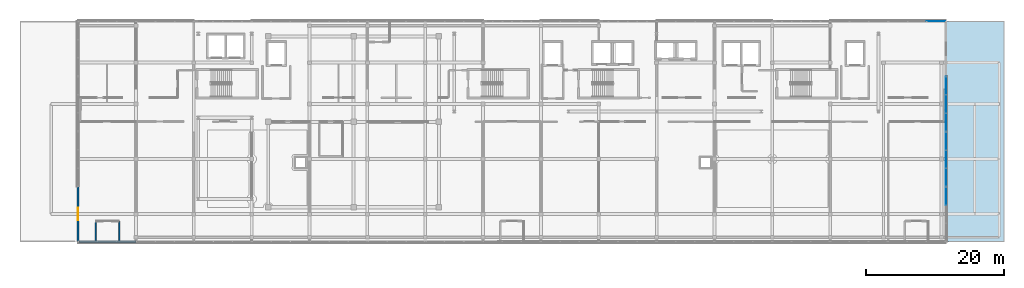
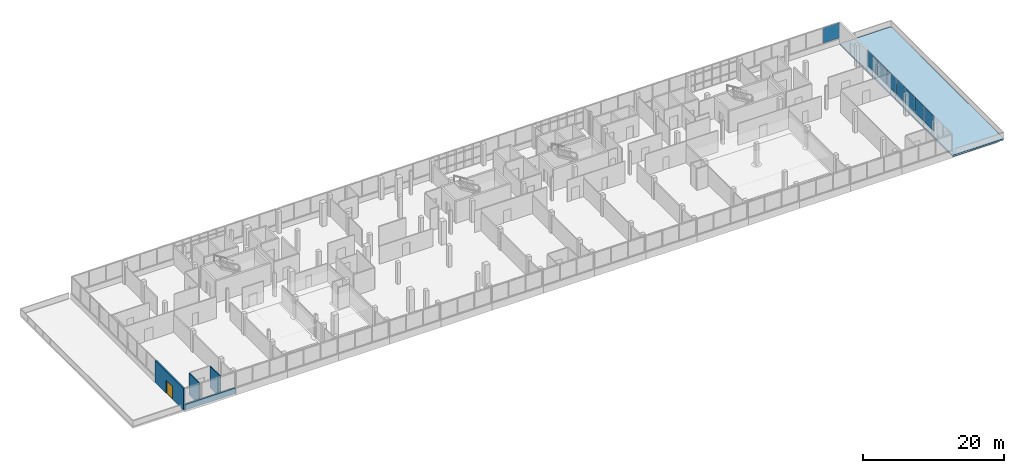
# One storey, part 55 of 67: 8 plates, 4 walls, 1 door, 1 slab, 1 opening, 4 elements without a shape of their own.
"""IFC4 building model written with IfcOpenShell, lengths in metres."""

from ifc_helpers import new_model, si_unit, direction, frame, frame_2d, origin, origin_2d, place, context, subcontext, project, spatial, polyline, rectangle, outline, extrude, material, layer, layer_set, type_object, element, fill, aggregate, save


model = new_model("IFC4")

# Units and contexts
model_context = context("Model", 3, precision=1e-05, world=origin(), true_north=direction((0.0, 1.0)))
body_context = subcontext(model_context, "Body", "Model", "MODEL_VIEW")
ifc_project = project(units=[si_unit("LENGTHUNIT", "METRE"), si_unit("AREAUNIT", "SQUARE_METRE"), si_unit("VOLUMEUNIT", "CUBIC_METRE"), si_unit("PLANEANGLEUNIT", "RADIAN"), si_unit("MASSUNIT", "GRAM", prefix="KILO")], contexts=[model_context])

# Site, building, storey
site_placement = place(None, origin())
site = spatial("IfcSite", under=ifc_project, at=site_placement, CompositionType="ELEMENT")
building_placement = place(site_placement, origin())
building = spatial("IfcBuilding", under=site, at=building_placement, Name="Selatvlak General Hospital", CompositionType="ELEMENT")
storey_placement = place(building_placement, frame((0.0, 0.0, 35.39990234375)))
storey = spatial("IfcBuildingStorey", under=building, at=storey_placement, Name="L08", CompositionType="ELEMENT", Elevation=35.39990234375)

# Curtain wall, plate
ifc_material_1 = material(Name="Solar-control Low-E double glazing", Category="glass")
curtain_wall_type_1 = type_object("IfcCurtainWallType", Name="CW-CW-02", PredefinedType="USERDEFINED", material=ifc_material_1)
curtain_wall_1_placement = place(storey_placement, origin())
curtain_wall_1 = element("IfcCurtainWall", 1, at=curtain_wall_1_placement, inside=storey, type_object=curtain_wall_type_1, Name="Glazed facade curtain wall CW-L08-0697", ObjectType="UNITISED CURTAIN WALL", PredefinedType="USERDEFINED")
ifc_layer_1 = layer(ifc_material_1, 0.028076171875, Name="Solar-control Low-E double glazing", Category="glass")
ifc_layer_set_1 = layer_set([ifc_layer_1], Name="Solar-control Low-E double glazing")
plate_type = type_object("IfcPlateType", Name="CWP-01", PredefinedType="CURTAIN_PANEL", material=ifc_layer_set_1)
plate_1_placement = place(storey_placement, frame((155.781005859375, 120.0, 1.005126953125), z_axis=(0.0, 0.0, 1.0), x_axis=(1.0, 0.0, 0.0)))
plate_1 = element("IfcPlate", 2, at=plate_1_placement, type_object=plate_type, Name="CW-02 panel 3.1", PredefinedType="CURTAIN_PANEL", context=body_context, shape_type="SweptSolid", body=[
    extrude(rectangle(XDim=2.67578125, YDim=0.028076171875, at=origin_2d()), origin(), (0.0, 0.0, 1.0), 2.669921875),
])
aggregate(curtain_wall_1, [plate_1])

# Curtain wall, plates
curtain_wall_type_2 = type_object("IfcCurtainWallType", Name="CW-CW-01", PredefinedType="USERDEFINED", material=ifc_material_1)
curtain_wall_2_placement = place(storey_placement, origin())
curtain_wall_2 = element("IfcCurtainWall", 3, at=curtain_wall_2_placement, inside=storey, type_object=curtain_wall_type_2, Name="Glazed facade curtain wall CW-L08-0698", ObjectType="UNITISED CURTAIN WALL", PredefinedType="USERDEFINED")
plate_2_placement = place(storey_placement, frame((157.19921875, 110.640625, 1.005126953125), z_axis=(0.0, 0.0, 1.0), x_axis=(0.000125486258, -0.999999992127, 0.0)))
plate_2 = element("IfcPlate", 4, at=plate_2_placement, type_object=plate_type, Name="CW-01 panel 1.1", PredefinedType="CURTAIN_PANEL", context=body_context, shape_type="SweptSolid", body=[
    extrude(rectangle(XDim=2.558837890625, YDim=0.028076171875, at=origin_2d()), origin(), (0.0, 0.0, 1.0), 2.669921875),
])
plate_3_placement = place(storey_placement, frame((157.199462890625, 108.00048828125, 1.005126953125), z_axis=(0.0, 0.0, 1.0), x_axis=(0.000125486258, -0.999999992127, 0.0)))
plate_3 = element("IfcPlate", 5, at=plate_3_placement, type_object=plate_type, Name="CW-01 panel 2.1", PredefinedType="CURTAIN_PANEL", context=body_context, shape_type="SweptSolid", body=[
    extrude(rectangle(XDim=2.59130859375, YDim=0.028076171875, at=origin_2d()), origin(), (0.0, 0.0, 1.0), 2.669921875),
])
plate_4_placement = place(storey_placement, frame((157.199951171875, 105.3603515625, 1.005126953125), z_axis=(0.0, 0.0, 1.0), x_axis=(0.000125486258, -0.999999992127, 0.0)))
plate_4 = element("IfcPlate", 6, at=plate_4_placement, type_object=plate_type, Name="CW-01 panel 3.1", PredefinedType="CURTAIN_PANEL", context=body_context, shape_type="SweptSolid", body=[
    extrude(rectangle(XDim=2.558837890625, YDim=0.028076171875, at=origin_2d()), origin(), (0.0, 0.0, 1.0), 2.669921875),
])
aggregate(curtain_wall_2, [plate_2, plate_3, plate_4])

curtain_wall_3_placement = place(storey_placement, origin())
curtain_wall_3 = element("IfcCurtainWall", 7, at=curtain_wall_3_placement, inside=storey, type_object=curtain_wall_type_1, Name="Glazed facade curtain wall CW-L08-0699", ObjectType="UNITISED CURTAIN WALL", PredefinedType="USERDEFINED")
plate_5_placement = place(storey_placement, frame((157.199951171875, 102.599853515625, 1.005126953125), z_axis=(0.0, 0.0, 1.0), x_axis=(0.0, -1.0, 0.0)))
plate_5 = element("IfcPlate", 8, at=plate_5_placement, type_object=plate_type, Name="CW-02 panel 1.1", PredefinedType="CURTAIN_PANEL", context=body_context, shape_type="SweptSolid", body=[
    extrude(rectangle(XDim=2.54248046875, YDim=0.028076171875, at=origin_2d()), origin(), (0.0, 0.0, 1.0), 2.669921875),
])
plate_6_placement = place(storey_placement, frame((157.199951171875, 99.97607421875, 1.005126953125), z_axis=(0.0, 0.0, 1.0), x_axis=(0.0, -1.0, 0.0)))
plate_6 = element("IfcPlate", 9, at=plate_6_placement, type_object=plate_type, Name="CW-02 panel 2.1", PredefinedType="CURTAIN_PANEL", context=body_context, shape_type="SweptSolid", body=[
    extrude(rectangle(XDim=2.574951171875, YDim=0.028076171875, at=origin_2d()), origin(), (0.0, 0.0, 1.0), 2.669921875),
])
plate_7_placement = place(storey_placement, frame((157.199951171875, 97.352294921875, 1.005126953125), z_axis=(0.0, 0.0, 1.0), x_axis=(0.0, -1.0, 0.0)))
plate_7 = element("IfcPlate", 10, at=plate_7_placement, type_object=plate_type, Name="CW-02 panel 3.1", PredefinedType="CURTAIN_PANEL", context=body_context, shape_type="SweptSolid", body=[
    extrude(rectangle(XDim=2.54248046875, YDim=0.028076171875, at=origin_2d()), origin(), (0.0, 0.0, 1.0), 2.669921875),
])
aggregate(curtain_wall_3, [plate_5, plate_6, plate_7])

# Curtain wall, plate
curtain_wall_4_placement = place(storey_placement, origin())
curtain_wall_4 = element("IfcCurtainWall", 11, at=curtain_wall_4_placement, inside=storey, type_object=curtain_wall_type_2, Name="Glazed facade curtain wall CW-L08-0700", ObjectType="UNITISED CURTAIN WALL", PredefinedType="USERDEFINED")
plate_8_placement = place(storey_placement, frame((157.199951171875, 94.599853515625, 1.005126953125), z_axis=(0.0, 0.0, 1.0), x_axis=(0.0, -1.0, 0.0)))
plate_8 = element("IfcPlate", 12, at=plate_8_placement, type_object=plate_type, Name="CW-01 panel 1.1", PredefinedType="CURTAIN_PANEL", context=body_context, shape_type="SweptSolid", body=[
    extrude(rectangle(XDim=2.54248046875, YDim=0.028076171875, at=origin_2d()), origin(), (0.0, 0.0, 1.0), 2.669921875),
])
aggregate(curtain_wall_4, [plate_8])

# Slab
ifc_material_2 = material(Name="Concrete C40/50", Category="concrete")
ifc_layer_2 = layer(ifc_material_2, 0.27197265625, Name="Concrete C40/50", Category="concrete")
ifc_layer_set_2 = layer_set([ifc_layer_2], Name="Concrete C40/50")
slab_type = type_object("IfcSlabType", Name="SLAB-SL-RF8", PredefinedType="ROOF", material=ifc_layer_set_2)
slab_placement = place(storey_placement, frame((0.0, 0.0, -0.27197265625)))
element("IfcSlab", 13, at=slab_placement, inside=storey, type_object=slab_type, Name="L08 roof slab ROOF-V5-TERR8-2", PredefinedType="ROOF", context=body_context, shape_type="SweptSolid", body=[
    extrude(outline(polyline([(165.60009765625, 120.0), (165.60009765625, 88.0), (157.2080078125, 88.0), (157.2080078125, 120.0), (165.60009765625, 120.0)])), origin(), (0.0, 0.0, 1.0), 0.27197265625),
])

# Wall, opening, door
ifc_material_3 = material(Name="Precast concrete C40/50 - white Bauhaus spandrel", Category="concrete")
ifc_layer_3 = layer(ifc_material_3, 0.280029296875, Name="Precast concrete C40/50 - white Bauhaus spandrel", Category="concrete")
ifc_layer_set_3 = layer_set([ifc_layer_3], Name="Precast concrete C40/50 - white Bauhaus spandrel")
wall_type_1 = type_object("IfcWallType", Name="WALL-EW-02", PredefinedType="SOLIDWALL", material=ifc_layer_set_3)
wall_1_placement = place(storey_placement, frame((31.199951171875, 88.0, 0.0), z_axis=(0.0, 0.0, 1.0), x_axis=(0.0, 1.0, 0.0)))
wall_1 = element("IfcWall", 14, at=wall_1_placement, inside=storey, type_object=wall_type_1, Name="L08 exterior wall 0603", PredefinedType="SOLIDWALL", context=body_context, shape_type="SweptSolid", body=[
    extrude(rectangle(XDim=8.0, YDim=0.280029296875, at=frame_2d((4.0, 0.0))), origin(), (0.0, 0.0, 1.0), 3.739990234375),
])
opening_placement = place(wall_1_placement, frame((3.10009765625, 0.0, 0.0)))
opening = element("IfcOpeningElement", 15, at=opening_placement, cuts=wall_1, Name="Opening DE-04", PredefinedType="OPENING", context=body_context, shape_type="SweptSolid", body=[
    extrude(rectangle(XDim=1.800048828125, YDim=2.199951171875, at=frame_2d((0.89990234375, 1.10009765625))), frame((0.0, 0.14990234375, 0.0), z_axis=(0.0, -1.0, 0.0), x_axis=(1.0, 0.0, 0.0)), (0.0, 0.0, 1.0), 0.300048828125),
])
ifc_material_4 = material(Name="Anodised aluminium terrace double door", Category="aluminium")
door_type = type_object("IfcDoorType", Name="DOOR-DE-04", OperationType="DOUBLE_DOOR_SINGLE_SWING", PredefinedType="DOOR", material=ifc_material_4)
door_placement = place(opening_placement, origin())
door = element("IfcDoor", 16, at=door_placement, inside=storey, type_object=door_type, Name="L08 healing roof terrace door 034", OperationType="DOUBLE_DOOR_SINGLE_SWING", OverallHeight=2.199951171875, OverallWidth=1.800048828125, PredefinedType="DOOR", context=body_context, shape_type="SweptSolid", body=[
    extrude(rectangle(XDim=1.800048828125, YDim=2.199951171875, at=frame_2d((0.89990234375, 1.10009765625))), frame((0.0, 0.02490234375, 0.0), z_axis=(0.0, -1.0, 0.0), x_axis=(1.0, 0.0, 0.0)), (0.0, 0.0, 1.0), 0.050048828125),
])
fill(opening, door)

# Walls
wall_2_placement = place(storey_placement, frame((39.597900390625, 88.0, 0.0), z_axis=(0.0, 0.0, 1.0), x_axis=(-1.0, 0.0, 0.0)))
element("IfcWall", 17, at=wall_2_placement, inside=storey, type_object=wall_type_1, Name="L08 Bauhaus spandrel sill wall 0636", PredefinedType="SOLIDWALL", context=body_context, shape_type="SweptSolid", body=[
    extrude(rectangle(XDim=8.2578125, YDim=0.280029296875, at=frame_2d((4.12890625, 0.0))), origin(), (0.0, 0.0, 1.0), 0.940185546875),
])
ifc_material_5 = material(Name="Acoustic gypsum stud partition")
ifc_layer_4 = layer(ifc_material_5, 0.179931640625, Name="Acoustic gypsum stud partition")
ifc_layer_set_4 = layer_set([ifc_layer_4], Name="Acoustic gypsum stud partition")
wall_type_2 = type_object("IfcWallType", Name="WALL-PT-01", PredefinedType="PARTITIONING", material=ifc_layer_set_4)
wall_3_placement = place(storey_placement, frame((33.760009765625, 90.93994140625, 0.0), z_axis=(0.0, 0.0, 1.0), x_axis=(0.0, -1.0, 0.0)))
element("IfcWall", 18, at=wall_3_placement, inside=storey, type_object=wall_type_2, Name="L08 clinical partition PT-L08-2169", PredefinedType="PARTITIONING", context=body_context, shape_type="SweptSolid", body=[
    extrude(rectangle(XDim=2.89794921875, YDim=0.179931640625, at=frame_2d((1.448974609375, 0.0))), origin(), (0.0, 0.0, 1.0), 3.739990234375),
])
ifc_layer_5 = layer(ifc_material_5, 0.1650390625, Name="Acoustic gypsum stud partition")
ifc_layer_set_5 = layer_set([ifc_layer_5], Name="Acoustic gypsum stud partition")
wall_type_3 = type_object("IfcWallType", Name="WALL-PT-02", PredefinedType="PARTITIONING", material=ifc_layer_set_5)
wall_4_placement = place(storey_placement, frame((37.179931640625, 88.0419921875, 0.0), z_axis=(0.0, 0.0, 1.0), x_axis=(0.0, 1.0, 0.0)))
element("IfcWall", 19, at=wall_4_placement, inside=storey, type_object=wall_type_3, Name="L08 clinical partition PT-L08-2167", PredefinedType="PARTITIONING", context=body_context, shape_type="SweptSolid", body=[
    extrude(rectangle(XDim=2.89794921875, YDim=0.1650390625, at=frame_2d((1.448974609375, 0.0))), origin(), (0.0, 0.0, 1.0), 3.739990234375),
])

save(model, "model.ifc")
